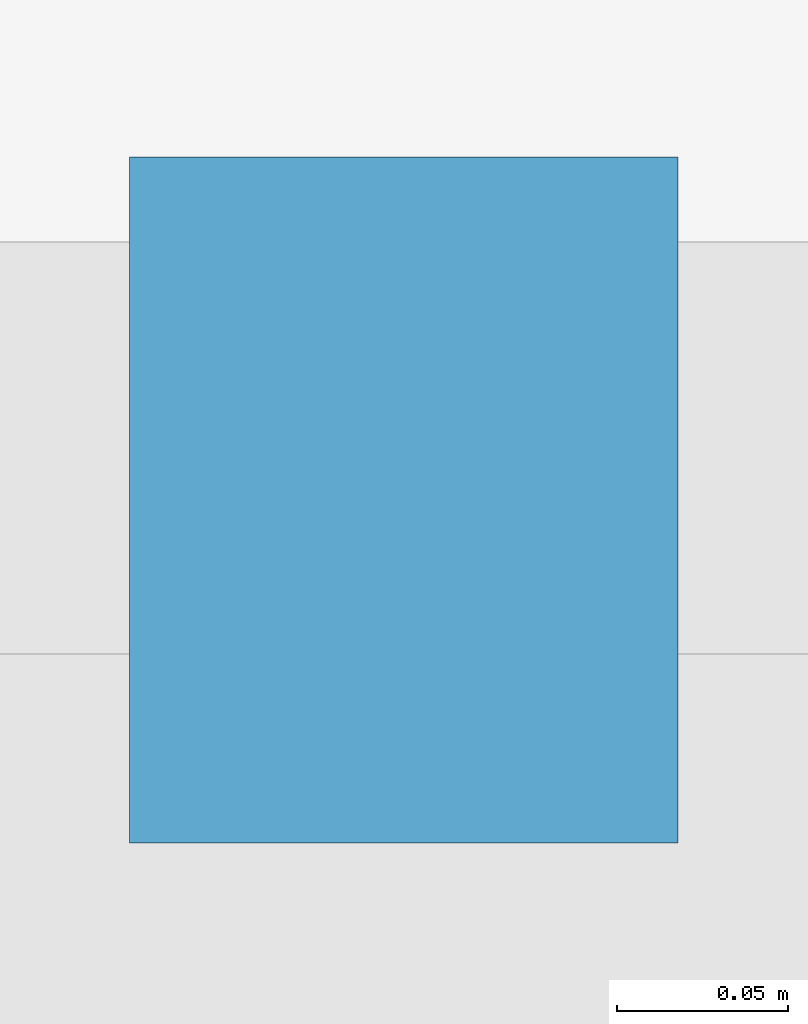
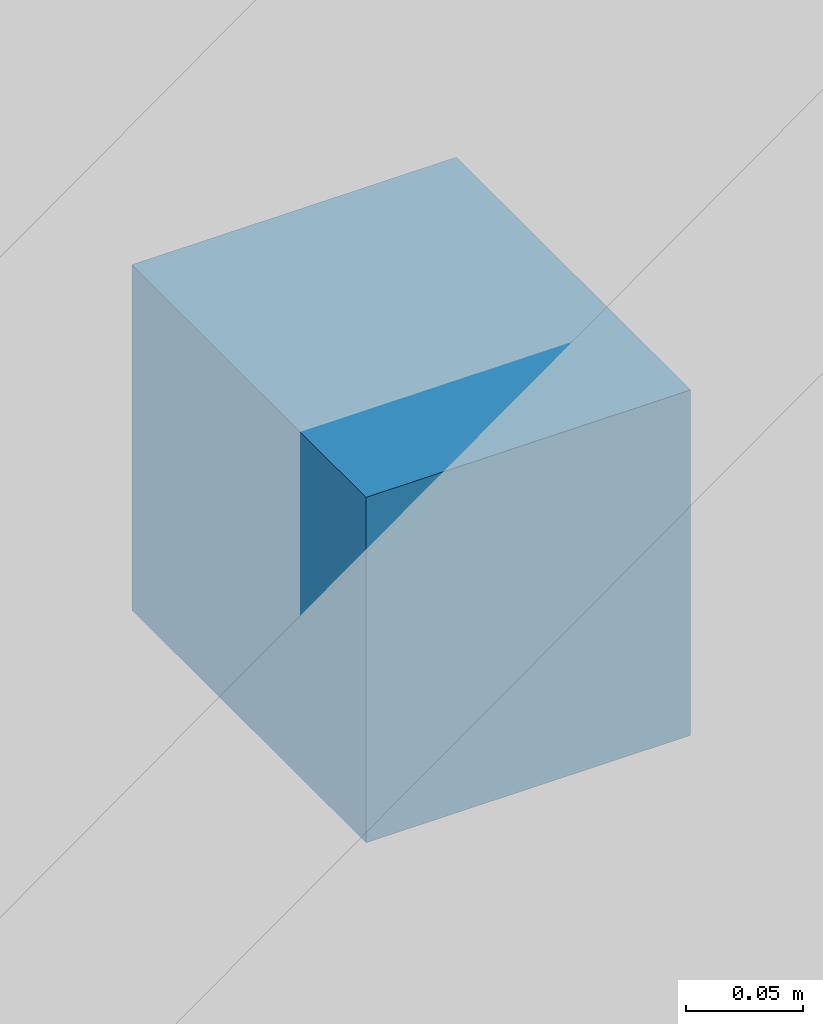
# One storey, part 17 of 22: 1 discrete accessory.
"""IFC4 building model written with IfcOpenShell, lengths in metres."""

from ifc_helpers import new_model, si_unit, direction, frame, origin, origin_2d, place, context, subcontext, project, spatial, rectangle, extrude, material, type_object, element, save


model = new_model("IFC4")

# Units and contexts
model_context = context("Model", 3, precision=1e-05, world=origin(), true_north=direction((0.0, 1.0)))
body_context = subcontext(model_context, "Body", "Model", "MODEL_VIEW")
ifc_project = project(units=[si_unit("LENGTHUNIT", "METRE"), si_unit("AREAUNIT", "SQUARE_METRE"), si_unit("VOLUMEUNIT", "CUBIC_METRE"), si_unit("PLANEANGLEUNIT", "RADIAN"), si_unit("MASSUNIT", "GRAM", prefix="KILO")], contexts=[model_context])

# Site, building, storey
site_placement = place(None, origin())
site = spatial("IfcSite", under=ifc_project, at=site_placement, CompositionType="ELEMENT")
building_placement = place(site_placement, origin())
building = spatial("IfcBuilding", under=site, at=building_placement, Name="Koriwani Terraces Tower", CompositionType="ELEMENT")
storey_placement = place(building_placement, frame((0.0, 0.0, 43.39990234375)))
storey = spatial("IfcBuildingStorey", under=building, at=storey_placement, Name="L09", CompositionType="ELEMENT", Elevation=43.39990234375)

# Discrete accessory
ifc_material = material(Name="Steel ASTM A572 Grade 50", Category="steel")
discrete_accessory_type = type_object("IfcDiscreteAccessoryType", Name="BAGUETTE_STANDOFF_BRACKET", PredefinedType="BRACKET", material=ifc_material)
discrete_accessory_placement = place(storey_placement, frame((71.39990234375, 0.389892578125, 1.68505859375), z_axis=(0.0, 0.0, 1.0), x_axis=(-1.0, 0.0, 0.0)))
element("IfcDiscreteAccessory", 1, at=discrete_accessory_placement, inside=storey, type_object=discrete_accessory_type, Name="L09 Terracotta Baguette Bracket (S-24)", PredefinedType="BRACKET", context=body_context, shape_type="SweptSolid", body=[
    extrude(rectangle(XDim=0.159912109375, YDim=0.199951171875, at=origin_2d()), origin(), (0.0, 0.0, 1.0), 0.179931640625),
])

save(model, "model.ifc")
